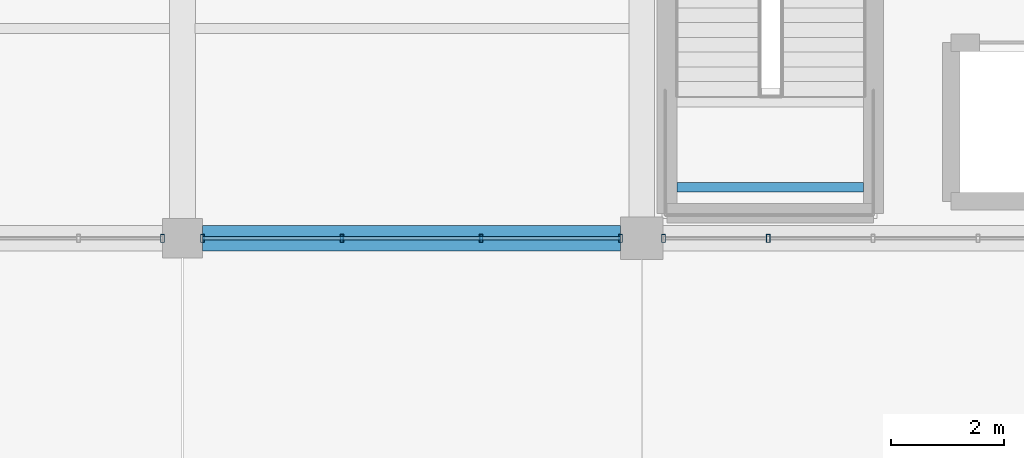
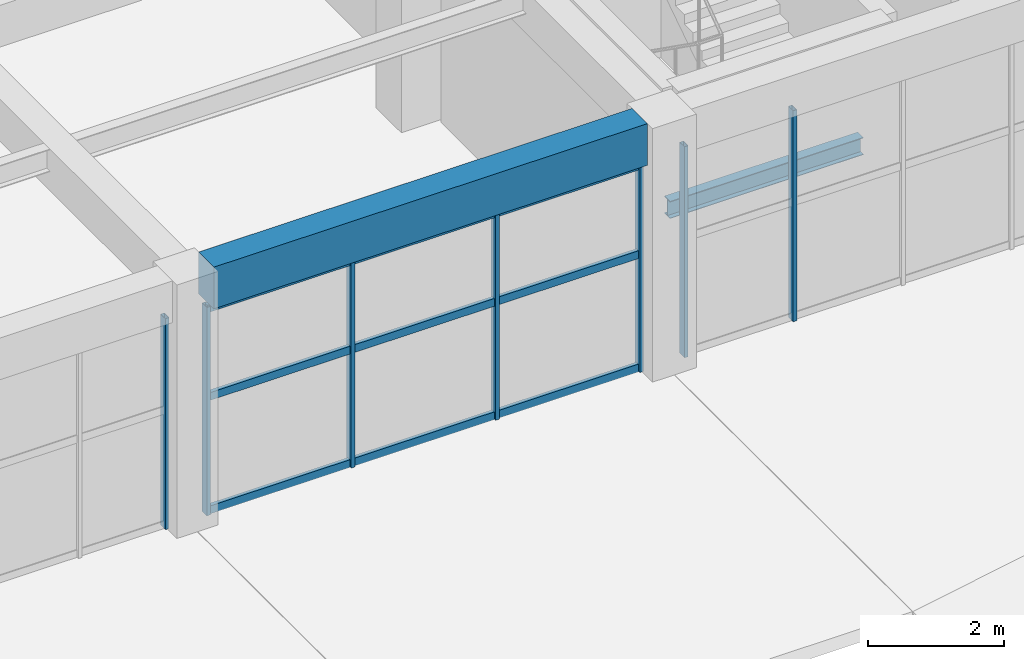
# One storey, part 34 of 161: 10 members, 2 beams, 3 elements without a shape of their own.
"""IFC4 building model written with IfcOpenShell, lengths in metres."""

from ifc_helpers import new_model, si_unit, direction, frame, origin, origin_2d, place, context, subcontext, project, spatial, rectangle, hollow_rectangle, i_section, extrude, material, material_profile, profile_set, type_object, element, aggregate, save


model = new_model("IFC4")

# Units and contexts
model_context = context("Model", 3, precision=1e-05, world=origin(), true_north=direction((0.0, 1.0)))
body_context = subcontext(model_context, "Body", "Model", "MODEL_VIEW")
ifc_project = project(units=[si_unit("LENGTHUNIT", "METRE"), si_unit("AREAUNIT", "SQUARE_METRE"), si_unit("VOLUMEUNIT", "CUBIC_METRE"), si_unit("PLANEANGLEUNIT", "RADIAN"), si_unit("MASSUNIT", "GRAM", prefix="KILO")], contexts=[model_context])

# Site, building, storey
site_placement = place(None, origin())
site = spatial("IfcSite", under=ifc_project, at=site_placement, CompositionType="ELEMENT")
building_placement = place(site_placement, origin())
building = spatial("IfcBuilding", under=site, at=building_placement, Name="Cimatlan Art Gallery", CompositionType="ELEMENT")
storey_placement = place(building_placement, frame((0.0, 0.0, 5.39990234375)))
storey = spatial("IfcBuildingStorey", under=building, at=storey_placement, Name="L01", CompositionType="ELEMENT", Elevation=5.39990234375)

# Beams
ifc_material_1 = material(Name="Concrete C40/50", Category="concrete")
ifc_material_profile_1 = material_profile(ifc_material_1, rectangle(XDim=0.449951171875, YDim=0.75, at=origin_2d()), Name="RC450X750")
ifc_profile_set_1 = profile_set([ifc_material_profile_1], Name="Concrete C40/50")
beam_type_1 = type_object("IfcBeamType", Name="BM-RC-450X750", PredefinedType="BEAM", material=ifc_profile_set_1)
beam_1_placement = place(storey_placement, frame((67.14990234375, 23.89990234375, 4.18505859375), z_axis=(1.0, 0.0, 0.0), x_axis=(0.0, 1.0, 0.0)))
element("IfcBeam", 1, at=beam_1_placement, inside=storey, type_object=beam_type_1, Name="BM-X-L01-08-03", PredefinedType="BEAM", context=body_context, shape_type="SweptSolid", body=[
    extrude(rectangle(XDim=0.449951171875, YDim=0.75, at=origin_2d()), origin(), (0.0, 0.0, 1.0), 7.375),
])
ifc_material_2 = material(Name="Steel ASTM A992 Grade 50", Category="steel")
ifc_material_profile_2 = material_profile(ifc_material_2, i_section(OverallWidth=0.1650390625, OverallDepth=0.31005859375, WebThickness=0.005859375, FlangeThickness=0.009765625, at=origin_2d()), Name="W12X26")
ifc_profile_set_2 = profile_set([ifc_material_profile_2], Name="Steel ASTM A992 Grade 50")
beam_type_2 = type_object("IfcBeamType", Name="BM-STL-W12X26", PredefinedType="JOIST", material=ifc_profile_set_2)
beam_2_placement = place(storey_placement, frame((75.514892578125, 24.800048828125, 2.025146484375), z_axis=(1.0, 0.0, 0.0), x_axis=(0.0, 1.0, 0.0)))
element("IfcBeam", 2, at=beam_2_placement, inside=storey, type_object=beam_type_2, Name="BM-STR-C3-L01-LH1", PredefinedType="JOIST", context=body_context, shape_type="SweptSolid", body=[
    extrude(i_section(OverallWidth=0.1650390625, OverallDepth=0.31005859375, WebThickness=0.005859375, FlangeThickness=0.009765625, at=origin_2d()), origin(), (0.0, 0.0, 1.0), 3.2900390625),
])

# Curtain wall, member
ifc_material_3 = material(Name="Anodised bronze unitised curtain wall")
curtain_wall_type_1 = type_object("IfcCurtainWallType", Name="CW-V-07392X03795-B5", PredefinedType="NOTDEFINED", material=ifc_material_3)
curtain_wall_1_placement = place(storey_placement, origin())
curtain_wall_1 = element("IfcCurtainWall", 3, at=curtain_wall_1_placement, inside=storey, type_object=curtain_wall_type_1, Name="CW-L01-07-03-S", PredefinedType="NOTDEFINED")
ifc_material_4 = material(Name="Anodised bronze aluminium 6063-T6", Category="aluminium")
ifc_material_profile_3 = material_profile(ifc_material_4, hollow_rectangle(XDim=0.06494140625, YDim=0.139892578125, WallThickness=0.00390625, at=origin_2d()), Name="ALU65X140X4")
ifc_profile_set_3 = profile_set([ifc_material_profile_3], Name="Anodised bronze aluminium 6063-T6")
member_type_1 = type_object("IfcMemberType", Name="CW-MUL-140", PredefinedType="MULLION", material=ifc_profile_set_3)
member_1_placement = place(storey_placement, frame((66.446044921875, 23.89990234375, 0.0), z_axis=(0.0, 0.0, 1.0), x_axis=(1.0, 0.0, 0.0)))
member_1 = element("IfcMember", 4, at=member_1_placement, type_object=member_type_1, Name="CW-L01-07-03-S-M1", PredefinedType="MULLION", context=body_context, shape_type="SweptSolid", body=[
    extrude(hollow_rectangle(XDim=0.06494140625, YDim=0.139892578125, WallThickness=0.00390625, at=origin_2d()), origin(), (0.0, 0.0, 1.0), 3.795166015625),
])
aggregate(curtain_wall_1, [member_1])

# Curtain wall, members
curtain_wall_type_2 = type_object("IfcCurtainWallType", Name="CW-V-07367X03750-B3", PredefinedType="NOTDEFINED", material=ifc_material_3)
curtain_wall_2_placement = place(storey_placement, origin())
curtain_wall_2 = element("IfcCurtainWall", 5, at=curtain_wall_2_placement, inside=storey, type_object=curtain_wall_type_2, Name="CW-L01-08-03-S", PredefinedType="NOTDEFINED")
member_2_placement = place(storey_placement, frame((74.52099609375, 23.89990234375, 0.0), z_axis=(0.0, 0.0, 1.0), x_axis=(1.0, 0.0, 0.0)))
member_2 = element("IfcMember", 6, at=member_2_placement, type_object=member_type_1, Name="CW-L01-08-03-S-M1", PredefinedType="MULLION", context=body_context, shape_type="SweptSolid", body=[
    extrude(hollow_rectangle(XDim=0.06494140625, YDim=0.139892578125, WallThickness=0.00390625, at=origin_2d()), origin(), (0.0, 0.0, 1.0), 3.75),
])
member_3_placement = place(storey_placement, frame((72.0654296875, 23.89990234375, 0.0), z_axis=(0.0, 0.0, 1.0), x_axis=(1.0, 0.0, 0.0)))
member_3 = element("IfcMember", 7, at=member_3_placement, type_object=member_type_1, Name="CW-L01-08-03-S-M2", PredefinedType="MULLION", context=body_context, shape_type="SweptSolid", body=[
    extrude(hollow_rectangle(XDim=0.06494140625, YDim=0.139892578125, WallThickness=0.00390625, at=origin_2d()), origin(), (0.0, 0.0, 1.0), 3.75),
])
member_4_placement = place(storey_placement, frame((69.609619140625, 23.89990234375, 0.0), z_axis=(0.0, 0.0, 1.0), x_axis=(1.0, 0.0, 0.0)))
member_4 = element("IfcMember", 8, at=member_4_placement, type_object=member_type_1, Name="CW-L01-08-03-S-M3", PredefinedType="MULLION", context=body_context, shape_type="SweptSolid", body=[
    extrude(hollow_rectangle(XDim=0.06494140625, YDim=0.139892578125, WallThickness=0.00390625, at=origin_2d()), origin(), (0.0, 0.0, 1.0), 3.75),
])
member_5_placement = place(storey_placement, frame((67.154052734375, 23.89990234375, 0.0), z_axis=(0.0, 0.0, 1.0), x_axis=(1.0, 0.0, 0.0)))
member_5 = element("IfcMember", 9, at=member_5_placement, type_object=member_type_1, Name="CW-L01-08-03-S-M4", PredefinedType="MULLION", context=body_context, shape_type="SweptSolid", body=[
    extrude(hollow_rectangle(XDim=0.06494140625, YDim=0.139892578125, WallThickness=0.00390625, at=origin_2d()), origin(), (0.0, 0.0, 1.0), 3.75),
])

curtain_wall_type_3 = type_object("IfcCurtainWallType", Name="CW-V-07392X03795-B4", PredefinedType="NOTDEFINED", material=ifc_material_3)
curtain_wall_3_placement = place(storey_placement, origin())
curtain_wall_3 = element("IfcCurtainWall", 10, at=curtain_wall_3_placement, inside=storey, type_object=curtain_wall_type_3, Name="CW-L01-09-03-S", PredefinedType="NOTDEFINED")
member_6_placement = place(storey_placement, frame((77.126953125, 23.89990234375, 0.0), z_axis=(0.0, 0.0, 1.0), x_axis=(1.0, 0.0, 0.0)))
member_6 = element("IfcMember", 11, at=member_6_placement, type_object=member_type_1, Name="CW-L01-09-03-S-M4", PredefinedType="MULLION", context=body_context, shape_type="SweptSolid", body=[
    extrude(hollow_rectangle(XDim=0.06494140625, YDim=0.139892578125, WallThickness=0.00390625, at=origin_2d()), origin(), (0.0, 0.0, 1.0), 3.795166015625),
])
member_7_placement = place(storey_placement, frame((75.279052734375, 23.89990234375, 0.0), z_axis=(0.0, 0.0, 1.0), x_axis=(1.0, 0.0, 0.0)))
member_7 = element("IfcMember", 12, at=member_7_placement, type_object=member_type_1, Name="CW-L01-09-03-S-M5", PredefinedType="MULLION", context=body_context, shape_type="SweptSolid", body=[
    extrude(hollow_rectangle(XDim=0.06494140625, YDim=0.139892578125, WallThickness=0.00390625, at=origin_2d()), origin(), (0.0, 0.0, 1.0), 3.795166015625),
])
aggregate(curtain_wall_3, [member_6, member_7])

# Member
ifc_material_profile_4 = material_profile(ifc_material_4, hollow_rectangle(XDim=0.06494140625, YDim=0.139892578125, WallThickness=0.00390625, at=origin_2d()), Name="ALU65X140X4")
ifc_profile_set_4 = profile_set([ifc_material_profile_4], Name="Anodised bronze aluminium 6063-T6")
member_type_2 = type_object("IfcMemberType", Name="CW-TRN-140", PredefinedType="USERDEFINED", material=ifc_profile_set_4)
member_8_placement = place(storey_placement, frame((74.52099609375, 23.89990234375, 0.06005859375), z_axis=(-1.0, 0.0, 0.0), x_axis=(0.0, -1.0, 0.0)))
member_8 = element("IfcMember", 13, at=member_8_placement, type_object=member_type_2, Name="CW-L01-08-03-S-T1", ObjectType="TRANSOM", PredefinedType="USERDEFINED", context=body_context, shape_type="SweptSolid", body=[
    extrude(hollow_rectangle(XDim=0.06494140625, YDim=0.139892578125, WallThickness=0.00390625, at=origin_2d()), origin(), (0.0, 0.0, 1.0), 7.366943359375),
])

member_9_placement = place(storey_placement, frame((74.52099609375, 23.89990234375, 2.10009765625), z_axis=(-1.0, 0.0, 0.0), x_axis=(0.0, -1.0, 0.0)))
member_9 = element("IfcMember", 14, at=member_9_placement, type_object=member_type_2, Name="CW-L01-08-03-S-T2", ObjectType="TRANSOM", PredefinedType="USERDEFINED", context=body_context, shape_type="SweptSolid", body=[
    extrude(hollow_rectangle(XDim=0.06494140625, YDim=0.139892578125, WallThickness=0.00390625, at=origin_2d()), origin(), (0.0, 0.0, 1.0), 7.366943359375),
])

member_10_placement = place(storey_placement, frame((74.52099609375, 23.89990234375, 3.690185546875), z_axis=(-1.0, 0.0, 0.0), x_axis=(0.0, -1.0, 0.0)))
member_10 = element("IfcMember", 15, at=member_10_placement, type_object=member_type_2, Name="CW-L01-08-03-S-T3", ObjectType="TRANSOM", PredefinedType="USERDEFINED", context=body_context, shape_type="SweptSolid", body=[
    extrude(hollow_rectangle(XDim=0.06494140625, YDim=0.139892578125, WallThickness=0.00390625, at=origin_2d()), origin(), (0.0, 0.0, 1.0), 7.366943359375),
])

aggregate(curtain_wall_2, [member_2, member_3, member_4, member_5, member_8, member_9, member_10])

save(model, "model.ifc")
